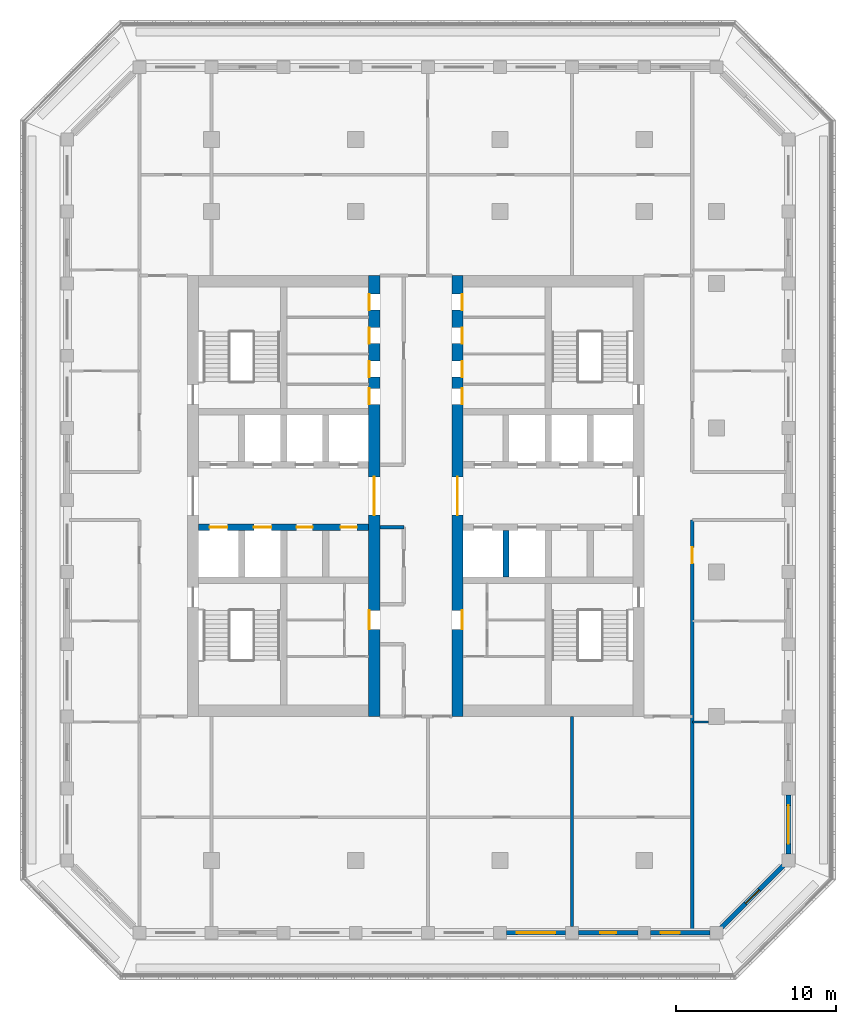
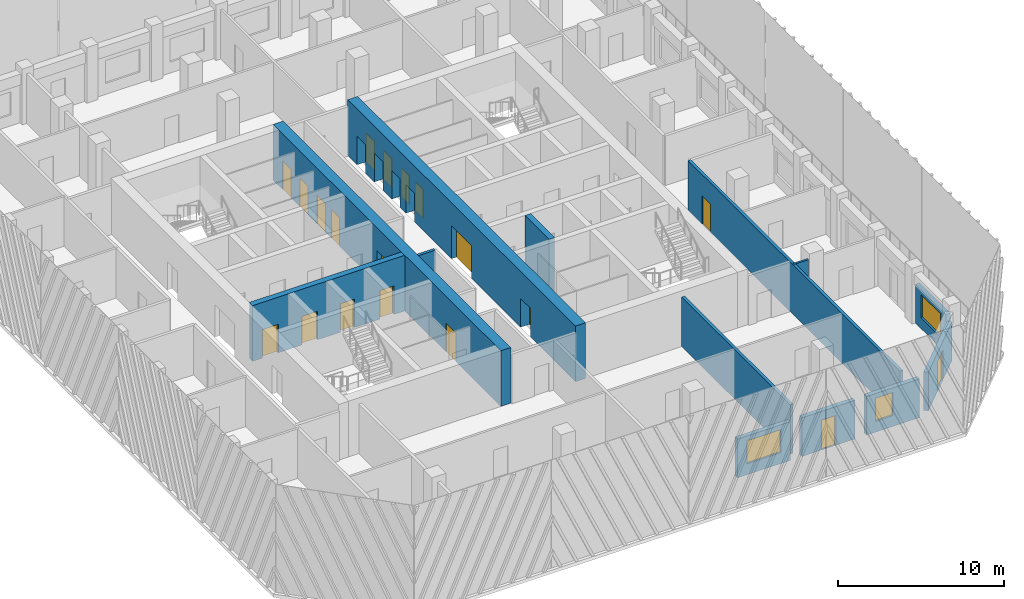
# One storey, part 4 of 17: 19 doors, 13 walls, 3 windows, 22 openings.
"""IFC4 building model written with IfcOpenShell, lengths in metres."""

from ifc_helpers import new_model, si_unit, direction, frame, frame_2d, origin, place, context, subcontext, project, spatial, rectangle, extrude, material, layer, layer_set, type_object, element, fill, save


model = new_model("IFC4")

# Units and contexts
model_context = context("Model", 3, precision=1e-05, world=origin(), true_north=direction((0.0, 1.0)))
body_context = subcontext(model_context, "Body", "Model", "MODEL_VIEW")
ifc_project = project(units=[si_unit("LENGTHUNIT", "METRE"), si_unit("AREAUNIT", "SQUARE_METRE"), si_unit("VOLUMEUNIT", "CUBIC_METRE"), si_unit("PLANEANGLEUNIT", "RADIAN"), si_unit("MASSUNIT", "GRAM", prefix="KILO")], contexts=[model_context])

# Site, building, storey
site_placement = place(None, origin())
site = spatial("IfcSite", under=ifc_project, at=site_placement, CompositionType="ELEMENT")
building_placement = place(site_placement, origin())
building = spatial("IfcBuilding", under=site, at=building_placement, Name="Corbel Stack Research Tower", CompositionType="ELEMENT")
storey_placement = place(building_placement, frame((0.0, 0.0, 239.800048828125)))
storey = spatial("IfcBuildingStorey", under=building, at=storey_placement, Name="L54", CompositionType="ELEMENT", Elevation=239.800048828125)

# Wall, openings, doors
ifc_material_1 = material(Name="Concrete C60/75", Category="concrete")
ifc_layer_1 = layer(ifc_material_1, 0.39990234375)
ifc_layer_set_1 = layer_set([ifc_layer_1], Name="Concrete C60/75")
wall_type_1 = type_object("IfcWallType", Name="CW-400-60", PredefinedType="SHEAR", material=ifc_layer_set_1)
wall_1_placement = place(storey_placement, frame((-9.800048828125, 2.800048828125, 0.0), z_axis=(0.0, 0.0, 1.0), x_axis=(1.0, 0.0, 0.0)))
wall_1 = element("IfcWall", 1, at=wall_1_placement, inside=storey, type_object=wall_type_1, Name="West core wall, lobby south L54", PredefinedType="SHEAR", context=body_context, shape_type="SweptSolid", body=[
    extrude(rectangle(XDim=10.60009765625, YDim=0.39990234375, at=frame_2d((5.300048828125, 0.0))), origin(), (0.0, 0.0, 1.0), 4.099853515625),
])
opening_1_placement = place(wall_1_placement, frame((0.6875, 0.0, 0.0)))
opening_1 = element("IfcOpeningElement", 2, at=opening_1_placement, cuts=wall_1, Name="Opening LD-FS1", PredefinedType="OPENING", context=body_context, shape_type="SweptSolid", body=[
    extrude(rectangle(XDim=1.10009765625, YDim=2.10009765625, at=frame_2d((0.550048828125, 1.050048828125))), frame((0.0, 0.2099609375, 0.0), z_axis=(0.0, -1.0, 0.0), x_axis=(1.0, 0.0, 0.0)), (0.0, 0.0, 1.0), 0.419921875),
])
opening_2_placement = place(wall_1_placement, frame((3.4375, 0.0, 0.0)))
opening_2 = element("IfcOpeningElement", 3, at=opening_2_placement, cuts=wall_1, Name="Opening LD-GL1", PredefinedType="OPENING", context=body_context, shape_type="SweptSolid", body=[
    extrude(rectangle(XDim=1.10009765625, YDim=2.10009765625, at=frame_2d((0.550048828125, 1.050048828125))), frame((0.0, 0.2099609375, 0.0), z_axis=(0.0, -1.0, 0.0), x_axis=(1.0, 0.0, 0.0)), (0.0, 0.0, 1.0), 0.419921875),
])
opening_3_placement = place(wall_1_placement, frame((6.112548828125, 0.0, 0.0)))
opening_3 = element("IfcOpeningElement", 4, at=opening_3_placement, cuts=wall_1, Name="Opening CR-W66-S3", PredefinedType="OPENING", context=body_context, shape_type="SweptSolid", body=[
    extrude(rectangle(XDim=1.0, YDim=2.10009765625, at=frame_2d((0.5, 1.050048828125))), frame((0.0, 0.2099609375, 0.0), z_axis=(0.0, -1.0, 0.0), x_axis=(1.0, 0.0, 0.0)), (0.0, 0.0, 1.0), 0.419921875),
])
opening_4_placement = place(wall_1_placement, frame((8.862548828125, 0.0, 0.0)))
opening_4 = element("IfcOpeningElement", 5, at=opening_4_placement, cuts=wall_1, Name="Opening CR-W66-S4", PredefinedType="OPENING", context=body_context, shape_type="SweptSolid", body=[
    extrude(rectangle(XDim=1.0, YDim=2.10009765625, at=frame_2d((0.5, 1.050048828125))), frame((0.0, 0.2099609375, 0.0), z_axis=(0.0, -1.0, 0.0), x_axis=(1.0, 0.0, 0.0)), (0.0, 0.0, 1.0), 0.419921875),
])
ifc_material_2 = material(Name="Stainless steel landing door", Category="steel")
door_type_1 = type_object("IfcDoorType", Name="Lift landing door 1100 x 2100", OperationType="DOUBLE_DOOR_SLIDING", PredefinedType="DOOR", material=ifc_material_2)
door_1_placement = place(opening_1_placement, origin())
door_1 = element("IfcDoor", 6, at=door_1_placement, inside=storey, type_object=door_type_1, Name="Landing door FS1", OperationType="DOUBLE_DOOR_SLIDING", OverallHeight=2.10009765625, OverallWidth=1.10009765625, PredefinedType="DOOR", context=body_context, shape_type="SweptSolid", body=[
    extrude(rectangle(XDim=1.10009765625, YDim=2.10009765625, at=frame_2d((0.550048828125, 1.050048828125))), frame((0.0, 0.02490234375, 0.0), z_axis=(0.0, -1.0, 0.0), x_axis=(1.0, 0.0, 0.0)), (0.0, 0.0, 1.0), 0.050048828125),
])
fill(opening_1, door_1)
door_2_placement = place(opening_2_placement, origin())
door_2 = element("IfcDoor", 7, at=door_2_placement, inside=storey, type_object=door_type_1, Name="Landing door GL1", OperationType="DOUBLE_DOOR_SLIDING", OverallHeight=2.10009765625, OverallWidth=1.10009765625, PredefinedType="DOOR", context=body_context, shape_type="SweptSolid", body=[
    extrude(rectangle(XDim=1.10009765625, YDim=2.10009765625, at=frame_2d((0.550048828125, 1.050048828125))), frame((0.0, 0.02490234375, 0.0), z_axis=(0.0, -1.0, 0.0), x_axis=(1.0, 0.0, 0.0)), (0.0, 0.0, 1.0), 0.050048828125),
])
fill(opening_2, door_2)
ifc_material_3 = material(Name="Painted steel door", Category="steel")
door_type_2 = type_object("IfcDoorType", Name="Service door 1000 x 2100 FD60 left hand", OperationType="SINGLE_SWING_LEFT", PredefinedType="DOOR", material=ifc_material_3)
door_3_placement = place(opening_3_placement, origin())
door_3 = element("IfcDoor", 8, at=door_3_placement, inside=storey, type_object=door_type_2, Name="Pantry door W core", OperationType="SINGLE_SWING_LEFT", OverallHeight=2.10009765625, OverallWidth=1.0, PredefinedType="DOOR", context=body_context, shape_type="SweptSolid", body=[
    extrude(rectangle(XDim=1.0, YDim=2.10009765625, at=frame_2d((0.5, 1.050048828125))), frame((0.0, 0.02490234375, 0.0), z_axis=(0.0, -1.0, 0.0), x_axis=(1.0, 0.0, 0.0)), (0.0, 0.0, 1.0), 0.050048828125),
])
fill(opening_3, door_3)
ifc_material_4 = material(Name="Painted steel door", Category="steel")
door_type_3 = type_object("IfcDoorType", Name="Service door 1000 x 2100 FD60 right hand", OperationType="SINGLE_SWING_RIGHT", PredefinedType="DOOR", material=ifc_material_4)
door_4_placement = place(opening_4_placement, origin())
door_4 = element("IfcDoor", 9, at=door_4_placement, inside=storey, type_object=door_type_3, Name="Staff WC door W core", OperationType="SINGLE_SWING_RIGHT", OverallHeight=2.10009765625, OverallWidth=1.0, PredefinedType="DOOR", context=body_context, shape_type="SweptSolid", body=[
    extrude(rectangle(XDim=1.0, YDim=2.10009765625, at=frame_2d((0.5, 1.050048828125))), frame((0.0, 0.02490234375, 0.0), z_axis=(0.0, -1.0, 0.0), x_axis=(1.0, 0.0, 0.0)), (0.0, 0.0, 1.0), 0.050048828125),
])
fill(opening_4, door_4)

# Wall
wall_2_placement = place(storey_placement, frame((9.375, -0.300048828125, 0.0), z_axis=(0.0, 0.0, 1.0), x_axis=(0.0, 1.0, 0.0)))
element("IfcWall", 10, at=wall_2_placement, inside=storey, type_object=wall_type_1, Name="East core wall, south shaft 1 L54", PredefinedType="SHEAR", context=body_context, shape_type="SweptSolid", body=[
    extrude(rectangle(XDim=2.900146484375, YDim=0.39990234375, at=frame_2d((1.4501953125, 0.0))), origin(), (0.0, 0.0, 1.0), 4.099853515625),
])

# Wall, openings, doors
ifc_material_5 = material(Name="Concrete C60/75", Category="concrete")
ifc_layer_2 = layer(ifc_material_5, 0.699951171875)
ifc_layer_set_2 = layer_set([ifc_layer_2], Name="Concrete C60/75")
wall_type_2 = type_object("IfcWallType", Name="CW-700-60", PredefinedType="SHEAR", material=ifc_layer_set_2)
wall_3_placement = place(storey_placement, frame((1.14990234375, -9.0, 0.0), z_axis=(0.0, 0.0, 1.0), x_axis=(0.0, 1.0, 0.0)))
wall_3 = element("IfcWall", 11, at=wall_3_placement, inside=storey, type_object=wall_type_2, Name="West core wall, east face L54", PredefinedType="SHEAR", context=body_context, shape_type="SweptSolid", body=[
    extrude(rectangle(XDim=27.5, YDim=0.699951171875, at=frame_2d((13.75, 0.0))), origin(), (0.0, 0.0, 1.0), 4.099853515625),
])
opening_5_placement = place(wall_3_placement, frame((12.550048828125, 0.0, 0.0)))
opening_5 = element("IfcOpeningElement", 12, at=opening_5_placement, cuts=wall_3, Name="Opening CD-W-E", PredefinedType="OPENING", context=body_context, shape_type="SweptSolid", body=[
    extrude(rectangle(XDim=2.39990234375, YDim=2.39990234375, at=frame_2d((1.199951171875, 1.199951171875))), frame((0.0, 0.35986328125, 0.0), z_axis=(0.0, -1.0, 0.0), x_axis=(1.0, 0.0, 0.0)), (0.0, 0.0, 1.0), 0.719970703125),
])
opening_6_placement = place(wall_3_placement, frame((5.419921875, 0.0, 0.0)))
opening_6 = element("IfcOpeningElement", 13, at=opening_6_placement, cuts=wall_3, Name="Opening CR-W66-W1-1200", PredefinedType="OPENING", context=body_context, shape_type="SweptSolid", body=[
    extrude(rectangle(XDim=1.199951171875, YDim=2.10009765625, at=frame_2d((0.60009765625, 1.050048828125))), frame((0.0, 0.35986328125, 0.0), z_axis=(0.0, -1.0, 0.0), x_axis=(1.0, 0.0, 0.0)), (0.0, 0.0, 1.0), 0.719970703125),
])
opening_7_placement = place(wall_3_placement, frame((19.4599609375, 0.0, 0.0)))
opening_7 = element("IfcOpeningElement", 14, at=opening_7_placement, cuts=wall_3, Name="Opening CR-W66-R1-1000", PredefinedType="OPENING", context=body_context, shape_type="SweptSolid", body=[
    extrude(rectangle(XDim=1.0, YDim=2.10009765625, at=frame_2d((0.5, 1.050048828125))), frame((0.0, 0.35986328125, 0.0), z_axis=(0.0, -1.0, 0.0), x_axis=(1.0, 0.0, 0.0)), (0.0, 0.0, 1.0), 0.719970703125),
])
opening_8_placement = place(wall_3_placement, frame((21.169921875, 0.0, 0.0)))
opening_8 = element("IfcOpeningElement", 15, at=opening_8_placement, cuts=wall_3, Name="Opening CR-W66-R2-1000", PredefinedType="OPENING", context=body_context, shape_type="SweptSolid", body=[
    extrude(rectangle(XDim=1.0, YDim=2.10009765625, at=frame_2d((0.5, 1.050048828125))), frame((0.0, 0.35986328125, 0.0), z_axis=(0.0, -1.0, 0.0), x_axis=(1.0, 0.0, 0.0)), (0.0, 0.0, 1.0), 0.719970703125),
])
opening_9_placement = place(wall_3_placement, frame((23.260009765625, 0.0, 0.0)))
opening_9 = element("IfcOpeningElement", 16, at=opening_9_placement, cuts=wall_3, Name="Opening CR-W66-R3-1000", PredefinedType="OPENING", context=body_context, shape_type="SweptSolid", body=[
    extrude(rectangle(XDim=1.0, YDim=2.10009765625, at=frame_2d((0.5, 1.050048828125))), frame((0.0, 0.35986328125, 0.0), z_axis=(0.0, -1.0, 0.0), x_axis=(1.0, 0.0, 0.0)), (0.0, 0.0, 1.0), 0.719970703125),
])
opening_10_placement = place(wall_3_placement, frame((25.35009765625, 0.0, 0.0)))
opening_10 = element("IfcOpeningElement", 17, at=opening_10_placement, cuts=wall_3, Name="Opening CR-W66-R4-1000", PredefinedType="OPENING", context=body_context, shape_type="SweptSolid", body=[
    extrude(rectangle(XDim=1.0, YDim=2.10009765625, at=frame_2d((0.5, 1.050048828125))), frame((0.0, 0.35986328125, 0.0), z_axis=(0.0, -1.0, 0.0), x_axis=(1.0, 0.0, 0.0)), (0.0, 0.0, 1.0), 0.719970703125),
])
ifc_material_6 = material(Name="Painted steel fire door", Category="steel")
door_type_4 = type_object("IfcDoorType", Name="Lobby door pair 2400 x 2400 FD30S", OperationType="DOUBLE_DOOR_DOUBLE_SWING", PredefinedType="DOOR", material=ifc_material_6)
door_5_placement = place(opening_5_placement, origin())
door_5 = element("IfcDoor", 18, at=door_5_placement, inside=storey, type_object=door_type_4, Name="Lift lobby door W core E", OperationType="DOUBLE_DOOR_DOUBLE_SWING", OverallHeight=2.39990234375, OverallWidth=2.39990234375, PredefinedType="DOOR", context=body_context, shape_type="SweptSolid", body=[
    extrude(rectangle(XDim=2.39990234375, YDim=2.39990234375, at=frame_2d((1.199951171875, 1.199951171875))), frame((0.0, 0.02490234375, 0.0), z_axis=(0.0, -1.0, 0.0), x_axis=(1.0, 0.0, 0.0)), (0.0, 0.0, 1.0), 0.050048828125),
])
fill(opening_5, door_5)
ifc_material_7 = material(Name="Painted steel door", Category="steel")
door_type_5 = type_object("IfcDoorType", Name="Riser door 1000 x 2100 FD60 left hand", OperationType="SINGLE_SWING_LEFT", PredefinedType="DOOR", material=ifc_material_7)
door_6_placement = place(opening_7_placement, origin())
door_6 = element("IfcDoor", 19, at=door_6_placement, inside=storey, type_object=door_type_5, Name="Electrical riser door W core", OperationType="SINGLE_SWING_LEFT", OverallHeight=2.10009765625, OverallWidth=1.0, PredefinedType="DOOR", context=body_context, shape_type="SweptSolid", body=[
    extrude(rectangle(XDim=1.0, YDim=2.10009765625, at=frame_2d((0.5, 1.050048828125))), frame((0.0, 0.3251953125, 0.0), z_axis=(0.0, -1.0, 0.0), x_axis=(1.0, 0.0, 0.0)), (0.0, 0.0, 1.0), 0.050048828125),
])
fill(opening_7, door_6)
ifc_material_8 = material(Name="Painted steel door", Category="steel")
door_type_6 = type_object("IfcDoorType", Name="Riser door 1000 x 2100 FD60 right hand", OperationType="SINGLE_SWING_RIGHT", PredefinedType="DOOR", material=ifc_material_8)
door_7_placement = place(opening_8_placement, origin())
door_7 = element("IfcDoor", 20, at=door_7_placement, inside=storey, type_object=door_type_6, Name="Telecom room door W core", OperationType="SINGLE_SWING_RIGHT", OverallHeight=2.10009765625, OverallWidth=1.0, PredefinedType="DOOR", context=body_context, shape_type="SweptSolid", body=[
    extrude(rectangle(XDim=1.0, YDim=2.10009765625, at=frame_2d((0.5, 1.050048828125))), frame((0.0, 0.3251953125, 0.0), z_axis=(0.0, -1.0, 0.0), x_axis=(1.0, 0.0, 0.0)), (0.0, 0.0, 1.0), 0.050048828125),
])
fill(opening_8, door_7)
ifc_material_9 = material(Name="Painted steel door", Category="steel")
door_type_7 = type_object("IfcDoorType", Name="Service door 1000 x 2100 FD30 left hand", OperationType="SINGLE_SWING_LEFT", PredefinedType="DOOR", material=ifc_material_9)
door_8_placement = place(opening_9_placement, origin())
door_8 = element("IfcDoor", 21, at=door_8_placement, inside=storey, type_object=door_type_7, Name="Pantry door W core", OperationType="SINGLE_SWING_LEFT", OverallHeight=2.10009765625, OverallWidth=1.0, PredefinedType="DOOR", context=body_context, shape_type="SweptSolid", body=[
    extrude(rectangle(XDim=1.0, YDim=2.10009765625, at=frame_2d((0.5, 1.050048828125))), frame((0.0, 0.3251953125, 0.0), z_axis=(0.0, -1.0, 0.0), x_axis=(1.0, 0.0, 0.0)), (0.0, 0.0, 1.0), 0.050048828125),
])
fill(opening_9, door_8)
ifc_material_10 = material(Name="Painted steel door", Category="steel")
door_type_8 = type_object("IfcDoorType", Name="Service door 1000 x 2100 FD30 right hand", OperationType="SINGLE_SWING_RIGHT", PredefinedType="DOOR", material=ifc_material_10)
door_9_placement = place(opening_10_placement, origin())
door_9 = element("IfcDoor", 22, at=door_9_placement, inside=storey, type_object=door_type_8, Name="Cleaner's store door W core", OperationType="SINGLE_SWING_RIGHT", OverallHeight=2.10009765625, OverallWidth=1.0, PredefinedType="DOOR", context=body_context, shape_type="SweptSolid", body=[
    extrude(rectangle(XDim=1.0, YDim=2.10009765625, at=frame_2d((0.5, 1.050048828125))), frame((0.0, 0.3251953125, 0.0), z_axis=(0.0, -1.0, 0.0), x_axis=(1.0, 0.0, 0.0)), (0.0, 0.0, 1.0), 0.050048828125),
])
fill(opening_10, door_9)
ifc_material_11 = material(Name="Painted timber door", Category="wood")
door_type_9 = type_object("IfcDoorType", Name="WC door 1200 x 2100 left hand", OperationType="SINGLE_SWING_LEFT", PredefinedType="DOOR", material=ifc_material_11)
door_10_placement = place(opening_6_placement, origin())
door_10 = element("IfcDoor", 23, at=door_10_placement, inside=storey, type_object=door_type_9, Name="WC lobby door W core", OperationType="SINGLE_SWING_LEFT", OverallHeight=2.10009765625, OverallWidth=1.199951171875, PredefinedType="DOOR", context=body_context, shape_type="SweptSolid", body=[
    extrude(rectangle(XDim=1.199951171875, YDim=2.10009765625, at=frame_2d((0.60009765625, 1.050048828125))), frame((0.0, 0.3251953125, 0.0), z_axis=(0.0, -1.0, 0.0), x_axis=(1.0, 0.0, 0.0)), (0.0, 0.0, 1.0), 0.050048828125),
])
fill(opening_6, door_10)

wall_4_placement = place(storey_placement, frame((6.35009765625, -9.0, 0.0), z_axis=(0.0, 0.0, 1.0), x_axis=(0.0, 1.0, 0.0)))
wall_4 = element("IfcWall", 24, at=wall_4_placement, inside=storey, type_object=wall_type_2, Name="East core wall, west face L54", PredefinedType="SHEAR", context=body_context, shape_type="SweptSolid", body=[
    extrude(rectangle(XDim=27.5, YDim=0.699951171875, at=frame_2d((13.75, 0.0))), origin(), (0.0, 0.0, 1.0), 4.099853515625),
])
opening_11_placement = place(wall_4_placement, frame((12.550048828125, 0.0, 0.0)))
opening_11 = element("IfcOpeningElement", 25, at=opening_11_placement, cuts=wall_4, Name="Opening CD-E-W", PredefinedType="OPENING", context=body_context, shape_type="SweptSolid", body=[
    extrude(rectangle(XDim=2.39990234375, YDim=2.39990234375, at=frame_2d((1.199951171875, 1.199951171875))), frame((0.0, 0.35986328125, 0.0), z_axis=(0.0, -1.0, 0.0), x_axis=(1.0, 0.0, 0.0)), (0.0, 0.0, 1.0), 0.719970703125),
])
opening_12_placement = place(wall_4_placement, frame((5.419921875, 0.0, 0.0)))
opening_12 = element("IfcOpeningElement", 26, at=opening_12_placement, cuts=wall_4, Name="Opening CR-E66-W1-1200", PredefinedType="OPENING", context=body_context, shape_type="SweptSolid", body=[
    extrude(rectangle(XDim=1.199951171875, YDim=2.10009765625, at=frame_2d((0.60009765625, 1.050048828125))), frame((0.0, 0.35986328125, 0.0), z_axis=(0.0, -1.0, 0.0), x_axis=(1.0, 0.0, 0.0)), (0.0, 0.0, 1.0), 0.719970703125),
])
opening_13_placement = place(wall_4_placement, frame((19.4599609375, 0.0, 0.0)))
opening_13 = element("IfcOpeningElement", 27, at=opening_13_placement, cuts=wall_4, Name="Opening CR-E66-R1-1000", PredefinedType="OPENING", context=body_context, shape_type="SweptSolid", body=[
    extrude(rectangle(XDim=1.0, YDim=2.10009765625, at=frame_2d((0.5, 1.050048828125))), frame((0.0, 0.35986328125, 0.0), z_axis=(0.0, -1.0, 0.0), x_axis=(1.0, 0.0, 0.0)), (0.0, 0.0, 1.0), 0.719970703125),
])
opening_14_placement = place(wall_4_placement, frame((21.169921875, 0.0, 0.0)))
opening_14 = element("IfcOpeningElement", 28, at=opening_14_placement, cuts=wall_4, Name="Opening CR-E66-R2-1000", PredefinedType="OPENING", context=body_context, shape_type="SweptSolid", body=[
    extrude(rectangle(XDim=1.0, YDim=2.10009765625, at=frame_2d((0.5, 1.050048828125))), frame((0.0, 0.35986328125, 0.0), z_axis=(0.0, -1.0, 0.0), x_axis=(1.0, 0.0, 0.0)), (0.0, 0.0, 1.0), 0.719970703125),
])
opening_15_placement = place(wall_4_placement, frame((23.260009765625, 0.0, 0.0)))
opening_15 = element("IfcOpeningElement", 29, at=opening_15_placement, cuts=wall_4, Name="Opening CR-E66-R3-1000", PredefinedType="OPENING", context=body_context, shape_type="SweptSolid", body=[
    extrude(rectangle(XDim=1.0, YDim=2.10009765625, at=frame_2d((0.5, 1.050048828125))), frame((0.0, 0.35986328125, 0.0), z_axis=(0.0, -1.0, 0.0), x_axis=(1.0, 0.0, 0.0)), (0.0, 0.0, 1.0), 0.719970703125),
])
opening_16_placement = place(wall_4_placement, frame((25.35009765625, 0.0, 0.0)))
opening_16 = element("IfcOpeningElement", 30, at=opening_16_placement, cuts=wall_4, Name="Opening CR-E66-R4-1000", PredefinedType="OPENING", context=body_context, shape_type="SweptSolid", body=[
    extrude(rectangle(XDim=1.0, YDim=2.10009765625, at=frame_2d((0.5, 1.050048828125))), frame((0.0, 0.35986328125, 0.0), z_axis=(0.0, -1.0, 0.0), x_axis=(1.0, 0.0, 0.0)), (0.0, 0.0, 1.0), 0.719970703125),
])
door_11_placement = place(opening_11_placement, origin())
door_11 = element("IfcDoor", 31, at=door_11_placement, inside=storey, type_object=door_type_4, Name="Lift lobby door E core W", OperationType="DOUBLE_DOOR_DOUBLE_SWING", OverallHeight=2.39990234375, OverallWidth=2.39990234375, PredefinedType="DOOR", context=body_context, shape_type="SweptSolid", body=[
    extrude(rectangle(XDim=2.39990234375, YDim=2.39990234375, at=frame_2d((1.199951171875, 1.199951171875))), frame((0.0, 0.02490234375, 0.0), z_axis=(0.0, -1.0, 0.0), x_axis=(1.0, 0.0, 0.0)), (0.0, 0.0, 1.0), 0.050048828125),
])
fill(opening_11, door_11)
door_12_placement = place(opening_14_placement, origin())
door_12 = element("IfcDoor", 32, at=door_12_placement, inside=storey, type_object=door_type_5, Name="Telecom room door E core", OperationType="SINGLE_SWING_LEFT", OverallHeight=2.10009765625, OverallWidth=1.0, PredefinedType="DOOR", context=body_context, shape_type="SweptSolid", body=[
    extrude(rectangle(XDim=1.0, YDim=2.10009765625, at=frame_2d((0.5, 1.050048828125))), frame((0.0, -0.27490234375, 0.0), z_axis=(0.0, -1.0, 0.0), x_axis=(1.0, 0.0, 0.0)), (0.0, 0.0, 1.0), 0.050048828125),
])
fill(opening_14, door_12)
door_13_placement = place(opening_13_placement, origin())
door_13 = element("IfcDoor", 33, at=door_13_placement, inside=storey, type_object=door_type_6, Name="Electrical riser door E core", OperationType="SINGLE_SWING_RIGHT", OverallHeight=2.10009765625, OverallWidth=1.0, PredefinedType="DOOR", context=body_context, shape_type="SweptSolid", body=[
    extrude(rectangle(XDim=1.0, YDim=2.10009765625, at=frame_2d((0.5, 1.050048828125))), frame((0.0, -0.27490234375, 0.0), z_axis=(0.0, -1.0, 0.0), x_axis=(1.0, 0.0, 0.0)), (0.0, 0.0, 1.0), 0.050048828125),
])
fill(opening_13, door_13)
door_14_placement = place(opening_16_placement, origin())
door_14 = element("IfcDoor", 34, at=door_14_placement, inside=storey, type_object=door_type_7, Name="Cleaner's store door E core", OperationType="SINGLE_SWING_LEFT", OverallHeight=2.10009765625, OverallWidth=1.0, PredefinedType="DOOR", context=body_context, shape_type="SweptSolid", body=[
    extrude(rectangle(XDim=1.0, YDim=2.10009765625, at=frame_2d((0.5, 1.050048828125))), frame((0.0, -0.27490234375, 0.0), z_axis=(0.0, -1.0, 0.0), x_axis=(1.0, 0.0, 0.0)), (0.0, 0.0, 1.0), 0.050048828125),
])
fill(opening_16, door_14)
door_15_placement = place(opening_15_placement, origin())
door_15 = element("IfcDoor", 35, at=door_15_placement, inside=storey, type_object=door_type_8, Name="Pantry door E core", OperationType="SINGLE_SWING_RIGHT", OverallHeight=2.10009765625, OverallWidth=1.0, PredefinedType="DOOR", context=body_context, shape_type="SweptSolid", body=[
    extrude(rectangle(XDim=1.0, YDim=2.10009765625, at=frame_2d((0.5, 1.050048828125))), frame((0.0, -0.27490234375, 0.0), z_axis=(0.0, -1.0, 0.0), x_axis=(1.0, 0.0, 0.0)), (0.0, 0.0, 1.0), 0.050048828125),
])
fill(opening_15, door_15)
ifc_material_12 = material(Name="Painted timber door", Category="wood")
door_type_10 = type_object("IfcDoorType", Name="WC door 1200 x 2100 right hand", OperationType="SINGLE_SWING_RIGHT", PredefinedType="DOOR", material=ifc_material_12)
door_16_placement = place(opening_12_placement, origin())
door_16 = element("IfcDoor", 36, at=door_16_placement, inside=storey, type_object=door_type_10, Name="WC lobby door E core", OperationType="SINGLE_SWING_RIGHT", OverallHeight=2.10009765625, OverallWidth=1.199951171875, PredefinedType="DOOR", context=body_context, shape_type="SweptSolid", body=[
    extrude(rectangle(XDim=1.199951171875, YDim=2.10009765625, at=frame_2d((0.60009765625, 1.050048828125))), frame((0.0, -0.27490234375, 0.0), z_axis=(0.0, -1.0, 0.0), x_axis=(1.0, 0.0, 0.0)), (0.0, 0.0, 1.0), 0.050048828125),
])
fill(opening_12, door_16)

# Wall
ifc_material_13 = material(Name="Fire-rated gypsum board partition on steel studs", Category="steel")
ifc_layer_3 = layer(ifc_material_13, 0.199951171875)
ifc_layer_set_3 = layer_set([ifc_layer_3], Name="Fire-rated gypsum board partition on steel studs")
wall_type_3 = type_object("IfcWallType", Name="Fire-rated partition 200 EI 60", PredefinedType="PARTITIONING", material=ifc_layer_set_3)
wall_5_placement = place(storey_placement, frame((13.5, -22.10009765625, 0.0), z_axis=(0.0, 0.0, 1.0), x_axis=(0.0, 1.0, 0.0)))
element("IfcWall", 37, at=wall_5_placement, inside=storey, type_object=wall_type_3, Name="Partition L54-013", PredefinedType="PARTITIONING", context=body_context, shape_type="SweptSolid", body=[
    extrude(rectangle(XDim=13.10009765625, YDim=0.199951171875, at=frame_2d((6.550048828125, 0.0))), origin(), (0.0, 0.0, 1.0), 3.64990234375),
])

# Wall, opening, door
wall_6_placement = place(storey_placement, frame((21.0, 3.25, 0.0), z_axis=(0.0, 0.0, 1.0), x_axis=(0.0, -1.0, 0.0)))
wall_6 = element("IfcWall", 38, at=wall_6_placement, inside=storey, type_object=wall_type_3, Name="Partition L54-015", PredefinedType="PARTITIONING", context=body_context, shape_type="SweptSolid", body=[
    extrude(rectangle(XDim=25.60009765625, YDim=0.199951171875, at=frame_2d((12.800048828125, 0.0))), origin(), (0.0, 0.0, 1.0), 3.64990234375),
])
opening_17_placement = place(wall_6_placement, frame((1.699951171875, 0.0, 0.0)))
opening_17 = element("IfcOpeningElement", 39, at=opening_17_placement, cuts=wall_6, Name="Opening B7V0-026", PredefinedType="OPENING", context=body_context, shape_type="SweptSolid", body=[
    extrude(rectangle(XDim=1.0, YDim=2.10009765625, at=frame_2d((0.5, 1.050048828125))), frame((0.0, 0.10986328125, 0.0), z_axis=(0.0, -1.0, 0.0), x_axis=(1.0, 0.0, 0.0)), (0.0, 0.0, 1.0), 0.219970703125),
])
ifc_material_14 = material(Name="Painted steel fire door", Category="steel")
door_type_11 = type_object("IfcDoorType", Name="Fire door FD30S 1000 x 2100", OperationType="NOTDEFINED", PredefinedType="DOOR", material=ifc_material_14)
door_17_placement = place(opening_17_placement, origin())
door_17 = element("IfcDoor", 40, at=door_17_placement, inside=storey, type_object=door_type_11, Name="Door B7V0-026", OperationType="SINGLE_SWING_LEFT", OverallHeight=2.10009765625, OverallWidth=1.0, PredefinedType="DOOR", context=body_context, shape_type="SweptSolid", body=[
    extrude(rectangle(XDim=1.0, YDim=2.10009765625, at=frame_2d((0.5, 1.050048828125))), frame((0.0, 0.02490234375, 0.0), z_axis=(0.0, -1.0, 0.0), x_axis=(1.0, 0.0, 0.0)), (0.0, 0.0, 1.0), 0.050048828125),
])
fill(opening_17, door_17)

# Walls
wall_7_placement = place(storey_placement, frame((1.5, 2.800048828125, 0.0), z_axis=(0.0, 0.0, 1.0), x_axis=(1.0, 0.0, 0.0)))
element("IfcWall", 41, at=wall_7_placement, inside=storey, type_object=wall_type_3, Name="Partition L54-028", PredefinedType="PARTITIONING", context=body_context, shape_type="SweptSolid", body=[
    extrude(rectangle(XDim=1.5, YDim=0.199951171875, at=frame_2d((0.75, 0.0))), origin(), (0.0, 0.0, 1.0), 3.64990234375),
])
ifc_material_15 = material(Name="Gypsum board partition on steel studs", Category="steel")
ifc_layer_4 = layer(ifc_material_15, 0.14990234375)
ifc_layer_set_4 = layer_set([ifc_layer_4], Name="Gypsum board partition on steel studs")
wall_type_4 = type_object("IfcWallType", Name="Partition 150", PredefinedType="PARTITIONING", material=ifc_layer_set_4)
wall_8_placement = place(storey_placement, frame((21.0, -9.35009765625, 0.0), z_axis=(0.0, 0.0, 1.0), x_axis=(1.0, 0.0, 0.0)))
element("IfcWall", 42, at=wall_8_placement, inside=storey, type_object=wall_type_4, Name="Partition L54-019", PredefinedType="PARTITIONING", context=body_context, shape_type="SweptSolid", body=[
    extrude(rectangle(XDim=1.0, YDim=0.14990234375, at=frame_2d((0.5, 0.0))), origin(), (0.0, 0.0, 1.0), 3.64990234375),
])

# Wall, opening, window
ifc_material_16 = material(Name="Concrete C45/55", Category="concrete")
ifc_layer_5 = layer(ifc_material_16, 0.300048828125)
ifc_layer_set_5 = layer_set([ifc_layer_5], Name="Concrete C45/55")
wall_type_5 = type_object("IfcWallType", Name="Terracotta-faced concrete wall 300", PredefinedType="SOLIDWALL", material=ifc_layer_set_5)
wall_9_placement = place(storey_placement, frame((13.10009765625, -22.5, 0.0), z_axis=(0.0, 0.0, 1.0), x_axis=(-1.0, 0.0, 0.0)))
wall_9 = element("IfcWall", 43, at=wall_9_placement, inside=storey, type_object=wall_type_5, Name="Facade wall L54 S06", PredefinedType="SOLIDWALL", context=body_context, shape_type="SweptSolid", body=[
    extrude(rectangle(XDim=3.7001953125, YDim=0.300048828125, at=frame_2d((1.85009765625, 0.0))), origin(), (0.0, 0.0, 1.0), 2.849853515625),
])
opening_18_placement = place(wall_9_placement, frame((0.64990234375, 0.0, 0.800048828125)))
opening_18 = element("IfcOpeningElement", 44, at=opening_18_placement, cuts=wall_9, Name="Opening W1", PredefinedType="OPENING", context=body_context, shape_type="SweptSolid", body=[
    extrude(rectangle(XDim=2.39990234375, YDim=1.699951171875, at=frame_2d((1.199951171875, 0.85009765625))), frame((0.0, 0.159912109375, 0.0), z_axis=(0.0, -1.0, 0.0), x_axis=(1.0, 0.0, 0.0)), (0.0, 0.0, 1.0), 0.320068359375),
])
ifc_material_17 = material(Name="Aluminium frame, clear double glazing", Category="aluminium")
window_type_1 = type_object("IfcWindowType", Name="Window W1 2400 x 1700", PartitioningType="SINGLE_PANEL", PredefinedType="WINDOW", material=ifc_material_17)
window_1_placement = place(opening_18_placement, origin())
window_1 = element("IfcWindow", 45, at=window_1_placement, inside=storey, type_object=window_type_1, Name="Window W1 L54 S06", OverallHeight=1.699951171875, OverallWidth=2.39990234375, PartitioningType="SINGLE_PANEL", PredefinedType="WINDOW", context=body_context, shape_type="SweptSolid", body=[
    extrude(rectangle(XDim=2.39990234375, YDim=1.699951171875, at=frame_2d((1.199951171875, 0.85009765625))), frame((0.0, 0.030029296875, 0.0), z_axis=(0.0, -1.0, 0.0), x_axis=(1.0, 0.0, 0.0)), (0.0, 0.0, 1.0), 0.06005859375),
])
fill(opening_18, window_1)

# Wall, opening, door
wall_10_placement = place(storey_placement, frame((17.60009765625, -22.5, 0.0), z_axis=(0.0, 0.0, 1.0), x_axis=(-1.0, 0.0, 0.0)))
wall_10 = element("IfcWall", 46, at=wall_10_placement, inside=storey, type_object=wall_type_5, Name="Facade wall L54 S07", PredefinedType="SOLIDWALL", context=body_context, shape_type="SweptSolid", body=[
    extrude(rectangle(XDim=3.7001953125, YDim=0.300048828125, at=frame_2d((1.85009765625, 0.0))), origin(), (0.0, 0.0, 1.0), 2.849853515625),
])
opening_19_placement = place(wall_10_placement, frame((1.35009765625, 0.0, 0.0)))
opening_19 = element("IfcOpeningElement", 47, at=opening_19_placement, cuts=wall_10, Name="Opening L54-B02", PredefinedType="OPENING", context=body_context, shape_type="SweptSolid", body=[
    extrude(rectangle(XDim=1.0, YDim=2.199951171875, at=frame_2d((0.5, 1.10009765625))), frame((0.0, 0.159912109375, 0.0), z_axis=(0.0, -1.0, 0.0), x_axis=(1.0, 0.0, 0.0)), (0.0, 0.0, 1.0), 0.320068359375),
])
ifc_material_18 = material(Name="Aluminium frame, clear double glazing", Category="aluminium")
door_type_12 = type_object("IfcDoorType", Name="Balcony door BD1 1000 x 2200", OperationType="NOTDEFINED", PredefinedType="DOOR", material=ifc_material_18)
door_18_placement = place(opening_19_placement, origin())
door_18 = element("IfcDoor", 48, at=door_18_placement, inside=storey, type_object=door_type_12, Name="Balcony door L54-B02", OperationType="SINGLE_SWING_LEFT", OverallHeight=2.199951171875, OverallWidth=1.0, PredefinedType="DOOR", context=body_context, shape_type="SweptSolid", body=[
    extrude(rectangle(XDim=1.0, YDim=2.199951171875, at=frame_2d((0.5, 1.10009765625))), frame((0.0, 0.02490234375, 0.0), z_axis=(0.0, -1.0, 0.0), x_axis=(1.0, 0.0, 0.0)), (0.0, 0.0, 1.0), 0.050048828125),
])
fill(opening_19, door_18)

# Wall, opening, window
wall_11_placement = place(storey_placement, frame((22.10009765625, -22.5, 0.0), z_axis=(0.0, 0.0, 1.0), x_axis=(-1.0, 0.0, 0.0)))
wall_11 = element("IfcWall", 49, at=wall_11_placement, inside=storey, type_object=wall_type_5, Name="Facade wall L54 S08", PredefinedType="SOLIDWALL", context=body_context, shape_type="SweptSolid", body=[
    extrude(rectangle(XDim=3.7001953125, YDim=0.300048828125, at=frame_2d((1.85009765625, 0.0))), origin(), (0.0, 0.0, 1.0), 2.849853515625),
])
opening_20_placement = place(wall_11_placement, frame((1.875, 0.0, 0.800048828125)))
opening_20 = element("IfcOpeningElement", 50, at=opening_20_placement, cuts=wall_11, Name="Opening W2", PredefinedType="OPENING", context=body_context, shape_type="SweptSolid", body=[
    extrude(rectangle(XDim=1.199951171875, YDim=1.699951171875, at=frame_2d((0.60009765625, 0.85009765625))), frame((0.0, 0.159912109375, 0.0), z_axis=(0.0, -1.0, 0.0), x_axis=(1.0, 0.0, 0.0)), (0.0, 0.0, 1.0), 0.320068359375),
])
ifc_material_19 = material(Name="Aluminium frame, clear double glazing", Category="aluminium")
window_type_2 = type_object("IfcWindowType", Name="Window W2 1200 x 1700", PartitioningType="SINGLE_PANEL", PredefinedType="WINDOW", material=ifc_material_19)
window_2_placement = place(opening_20_placement, origin())
window_2 = element("IfcWindow", 51, at=window_2_placement, inside=storey, type_object=window_type_2, Name="Window W2 L54 S08", OverallHeight=1.699951171875, OverallWidth=1.199951171875, PartitioningType="SINGLE_PANEL", PredefinedType="WINDOW", context=body_context, shape_type="SweptSolid", body=[
    extrude(rectangle(XDim=1.199951171875, YDim=1.699951171875, at=frame_2d((0.60009765625, 0.85009765625))), frame((0.0, 0.030029296875, 0.0), z_axis=(0.0, -1.0, 0.0), x_axis=(1.0, 0.0, 0.0)), (0.0, 0.0, 1.0), 0.06005859375),
])
fill(opening_20, window_2)

# Wall, opening, door
wall_12_placement = place(storey_placement, frame((26.7060546875, -18.2939453125, 0.0), z_axis=(0.0, 0.0, 1.0), x_axis=(-0.707106781187, -0.707106781187, 0.0)))
wall_12 = element("IfcWall", 52, at=wall_12_placement, inside=storey, type_object=wall_type_5, Name="Facade wall L54 SE01", PredefinedType="SOLIDWALL", context=body_context, shape_type="SweptSolid", body=[
    extrude(rectangle(XDim=5.532470703125, YDim=0.300048828125, at=frame_2d((2.76611328125, 0.0))), origin(), (0.0, 0.0, 1.0), 2.849853515625),
])
opening_21_placement = place(wall_12_placement, frame((2.166259765625, 0.0, 0.0)))
opening_21 = element("IfcOpeningElement", 53, at=opening_21_placement, cuts=wall_12, Name="Opening L54-B03", PredefinedType="OPENING", context=body_context, shape_type="SweptSolid", body=[
    extrude(rectangle(XDim=1.199951171875, YDim=2.199951171875, at=frame_2d((0.60009765625, 1.10009765625))), frame((0.0, 0.159912109375, 0.0), z_axis=(0.0, -1.0, 0.0), x_axis=(1.0, 0.0, 0.0)), (0.0, 0.0, 1.0), 0.320068359375),
])
ifc_material_20 = material(Name="Aluminium frame, clear double glazing", Category="aluminium")
door_type_13 = type_object("IfcDoorType", Name="Balcony door BD2 1200 x 2200", OperationType="NOTDEFINED", PredefinedType="DOOR", material=ifc_material_20)
door_19_placement = place(opening_21_placement, origin())
door_19 = element("IfcDoor", 54, at=door_19_placement, inside=storey, type_object=door_type_13, Name="Balcony door L54-B03", OperationType="SINGLE_SWING_LEFT", OverallHeight=2.199951171875, OverallWidth=1.199951171875, PredefinedType="DOOR", context=body_context, shape_type="SweptSolid", body=[
    extrude(rectangle(XDim=1.199951171875, YDim=2.199951171875, at=frame_2d((0.60009765625, 1.10009765625))), frame((0.0, 0.02490234375, 0.0), z_axis=(0.0, -1.0, 0.0), x_axis=(1.0, 0.0, 0.0)), (0.0, 0.0, 1.0), 0.050048828125),
])
fill(opening_21, door_19)

# Wall, opening, window
wall_13_placement = place(storey_placement, frame((27.0, -13.89990234375, 0.0), z_axis=(0.0, 0.0, 1.0), x_axis=(0.0, -1.0, 0.0)))
wall_13 = element("IfcWall", 55, at=wall_13_placement, inside=storey, type_object=wall_type_5, Name="Facade wall L54 E01", PredefinedType="SOLIDWALL", context=body_context, shape_type="SweptSolid", body=[
    extrude(rectangle(XDim=3.7001953125, YDim=0.300048828125, at=frame_2d((1.85009765625, 0.0))), origin(), (0.0, 0.0, 1.0), 2.849853515625),
])
opening_22_placement = place(wall_13_placement, frame((0.64990234375, 0.0, 0.800048828125)))
opening_22 = element("IfcOpeningElement", 56, at=opening_22_placement, cuts=wall_13, Name="Opening W1", PredefinedType="OPENING", context=body_context, shape_type="SweptSolid", body=[
    extrude(rectangle(XDim=2.39990234375, YDim=1.699951171875, at=frame_2d((1.199951171875, 0.85009765625))), frame((0.0, 0.159912109375, 0.0), z_axis=(0.0, -1.0, 0.0), x_axis=(1.0, 0.0, 0.0)), (0.0, 0.0, 1.0), 0.320068359375),
])
window_3_placement = place(opening_22_placement, origin())
window_3 = element("IfcWindow", 57, at=window_3_placement, inside=storey, type_object=window_type_1, Name="Window W1 L54 E01", OverallHeight=1.699951171875, OverallWidth=2.39990234375, PartitioningType="SINGLE_PANEL", PredefinedType="WINDOW", context=body_context, shape_type="SweptSolid", body=[
    extrude(rectangle(XDim=2.39990234375, YDim=1.699951171875, at=frame_2d((1.199951171875, 0.85009765625))), frame((0.0, 0.030029296875, 0.0), z_axis=(0.0, -1.0, 0.0), x_axis=(1.0, 0.0, 0.0)), (0.0, 0.0, 1.0), 0.06005859375),
])
fill(opening_22, window_3)

save(model, "model.ifc")
